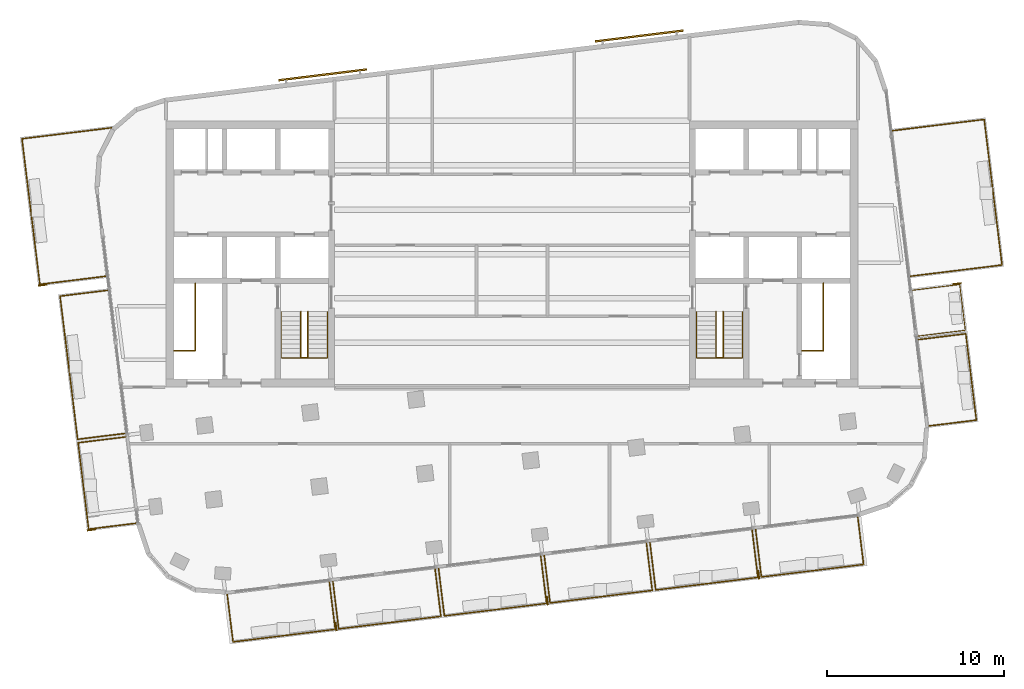
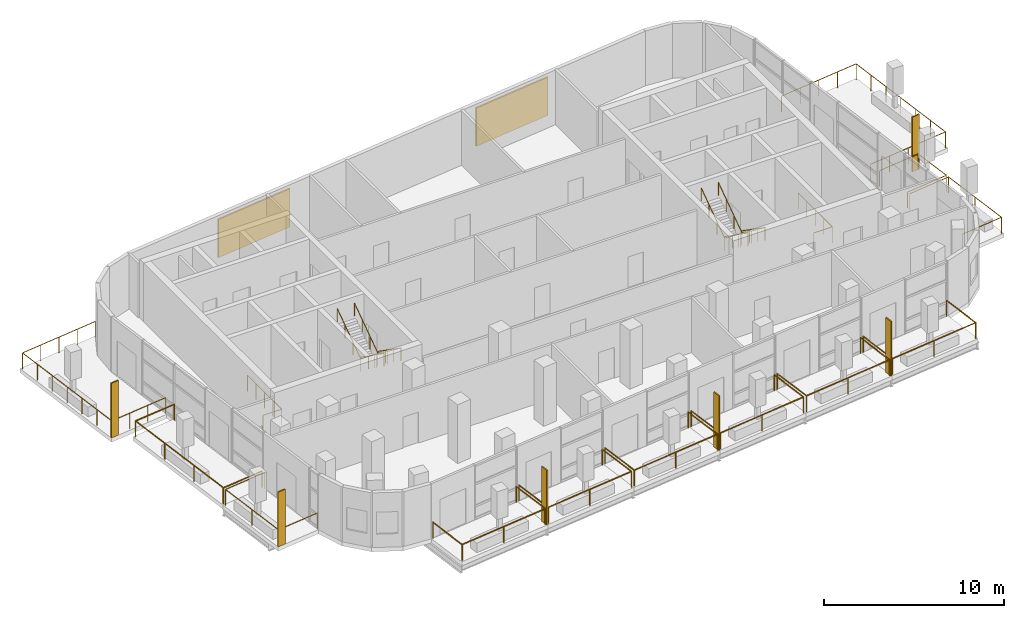
# One storey, part 12 of 13: 18 railings, 8 shading devices.
"""IFC4 building model written with IfcOpenShell, lengths in metres."""

from ifc_helpers import new_model, si_unit, direction, frame, origin, origin_2d, place, context, subcontext, project, spatial, rectangle, circle, extrude, material, layer, layer_set, type_object, element, save


model = new_model("IFC4")

# Units and contexts
model_context = context("Model", 3, precision=1e-05, world=origin(), true_north=direction((0.0, 1.0)))
body_context = subcontext(model_context, "Body", "Model", "MODEL_VIEW")
ifc_project = project(units=[si_unit("LENGTHUNIT", "METRE"), si_unit("AREAUNIT", "SQUARE_METRE"), si_unit("VOLUMEUNIT", "CUBIC_METRE"), si_unit("PLANEANGLEUNIT", "RADIAN"), si_unit("MASSUNIT", "GRAM", prefix="KILO")], contexts=[model_context])

# Site, building, storey
site_placement = place(None, origin())
site = spatial("IfcSite", under=ifc_project, at=site_placement, CompositionType="ELEMENT")
building_placement = place(site_placement, origin())
building = spatial("IfcBuilding", under=site, at=building_placement, Name="Torana Hotel and Residences", CompositionType="ELEMENT")
storey_placement = place(building_placement, frame((0.0, 0.0, 342.60009765625)))
storey = spatial("IfcBuildingStorey", under=building, at=storey_placement, Name="L90", CompositionType="ELEMENT", Elevation=342.60009765625)

# Shading devices
ifc_material_1 = material(Name="Black powder coated aluminium", Category="aluminium")
ifc_layer_1 = layer(ifc_material_1, 0.080078125)
ifc_layer_set_1 = layer_set([ifc_layer_1], Name="FN1 VERTICAL FIN 500x80")
shading_device_type_1 = type_object("IfcShadingDeviceType", Name="FN1 VERTICAL FIN 500x80", PredefinedType="USERDEFINED", material=ifc_layer_set_1)
for number, where, z_axis, x_axis, name in (
    (1, (-9.921142578125, -28.4931640625, 0.0), (0.0, 0.0, 1.0), (-0.99254657704, -0.121865878765, 0.0), "Fin 01"),
    (2, (1.989501953125, -27.03076171875, 0.0), (0.0, 0.0, 1.0), (-0.99254657704, -0.121865878765, 0.0), "Fin 03"),
    (3, (13.89990234375, -25.568359375, 0.0), (0.0, 0.0, 1.0), (-0.99254657704, -0.121865878765, 0.0), "Fin 05"),
    (4, (-23.6982421875, -23.04150390625, 0.0), (0.0, 0.0, 1.0), (-0.121881469635, 0.992544662652, 0.0), "Fin 07"),
    (5, (-26.44970703125, -9.2490234375, 0.0), (0.0, 0.0, 1.0), (-0.121871075725, 0.992545938938, 0.0), "Fin 09"),
    (6, (25.075439453125, -9.17431640625, 0.0), (0.0, 0.0, 1.0), (0.121867611085, -0.992546364342, 0.0), "Fin 11"),
):
    element("IfcShadingDevice", number, at=place(storey_placement, frame(where, z_axis=z_axis, x_axis=x_axis)), inside=storey, type_object=shading_device_type_1, Name=name, ObjectType="FIN", PredefinedType="USERDEFINED", context=body_context, shape_type="SweptSolid", body=[
        extrude(rectangle(XDim=0.080078125, YDim=0.5, at=origin_2d()), origin(), (0.0, 0.0, 1.0), 3.719970703125),
    ])

# Railings
ifc_material_2 = material(Name="Laminated glass balustrade with black handrail", Category="glass")
railing_type_1 = type_object("IfcRailingType", Name="GR1 BALCONY GUARD 1100 GLASS", PredefinedType="GUARDRAIL", material=ifc_material_2)
railing_1_placement = place(storey_placement, frame((-10.29150390625, -25.969482421875, 0.0)))
element("IfcRailing", 7, at=railing_1_placement, inside=storey, type_object=railing_type_1, Name="Balcony guard 01", PredefinedType="GUARDRAIL", context=body_context, shape_type="SweptSolid", body=[
    extrude(circle(Radius=0.02392578125, at=origin_2d()), frame((0.0, 0.0, 1.076171875), z_axis=(0.121886613265, -0.992544031017, 0.0), x_axis=(0.992544031017, 0.121886613265, 0.0)), (0.0, 0.0, 1.0), 2.699951171875),
    extrude(circle(Radius=0.02392578125, at=origin_2d()), frame((0.3291015625, -2.679931640625, 1.076171875), z_axis=(-0.992547475119, -0.121858564057, 0.0), x_axis=(0.121858564057, -0.992547475119, 0.0)), (0.0, 0.0, 1.0), 5.800048828125),
    extrude(circle(Radius=0.02392578125, at=origin_2d()), frame((-5.427734375, -3.38671875, 1.076171875), z_axis=(-0.121797534772, 0.992554965996, 0.0), x_axis=(-0.992554965996, -0.121797534772, 0.0)), (0.0, 0.0, 1.0), 2.699951171875),
    extrude(circle(Radius=0.02099609375, at=origin_2d()), origin(), (0.0, 0.0, 1.0), 1.052001953125),
    extrude(circle(Radius=0.02099609375, at=origin_2d()), frame((0.3291015625, -2.679931640625, 0.0)), (0.0, 0.0, 1.0), 1.052001953125),
    extrude(circle(Radius=0.02099609375, at=origin_2d()), frame((-2.54931640625, -3.033203125, 0.0)), (0.0, 0.0, 1.0), 1.052001953125),
    extrude(circle(Radius=0.02099609375, at=origin_2d()), frame((-5.427734375, -3.38671875, 0.0)), (0.0, 0.0, 1.0), 1.052001953125),
    extrude(circle(Radius=0.02099609375, at=origin_2d()), frame((-5.756591796875, -0.706787109375, 0.0)), (0.0, 0.0, 1.0), 1.052001953125),
])
for number, where, name in (
    (8, (-4.336181640625, -25.23828125, 0.0), "Balcony guard 02"),
    (9, (1.619140625, -24.507080078125, 0.0), "Balcony guard 03"),
):
    element("IfcRailing", number, at=place(storey_placement, frame(where)), inside=storey, type_object=railing_type_1, Name=name, PredefinedType="GUARDRAIL", context=body_context, shape_type="SweptSolid", body=[
        extrude(circle(Radius=0.02392578125, at=origin_2d()), frame((0.0, 0.0, 1.076171875), z_axis=(0.121886613265, -0.992544031017, 0.0), x_axis=(0.992544031017, 0.121886613265, 0.0)), (0.0, 0.0, 1.0), 2.699951171875),
        extrude(circle(Radius=0.02392578125, at=origin_2d()), frame((0.3291015625, -2.679931640625, 1.076171875), z_axis=(-0.992547475119, -0.121858564057, 0.0), x_axis=(0.121858564057, -0.992547475119, 0.0)), (0.0, 0.0, 1.0), 5.800048828125),
        extrude(circle(Radius=0.02392578125, at=origin_2d()), frame((-5.427734375, -3.38671875, 1.076171875), z_axis=(-0.121886613265, 0.992544031017, 0.0), x_axis=(-0.992544031017, -0.121886613265, 0.0)), (0.0, 0.0, 1.0), 2.699951171875),
        extrude(circle(Radius=0.02099609375, at=origin_2d()), origin(), (0.0, 0.0, 1.0), 1.052001953125),
        extrude(circle(Radius=0.02099609375, at=origin_2d()), frame((0.3291015625, -2.679931640625, 0.0)), (0.0, 0.0, 1.0), 1.052001953125),
        extrude(circle(Radius=0.02099609375, at=origin_2d()), frame((-2.54931640625, -3.033203125, 0.0)), (0.0, 0.0, 1.0), 1.052001953125),
        extrude(circle(Radius=0.02099609375, at=origin_2d()), frame((-5.427734375, -3.38671875, 0.0)), (0.0, 0.0, 1.0), 1.052001953125),
        extrude(circle(Radius=0.02099609375, at=origin_2d()), frame((-5.7568359375, -0.706787109375, 0.0)), (0.0, 0.0, 1.0), 1.052001953125),
    ])
railing_2_placement = place(storey_placement, frame((7.57421875, -23.77587890625, 0.0)))
element("IfcRailing", 10, at=railing_2_placement, inside=storey, type_object=railing_type_1, Name="Balcony guard 04", PredefinedType="GUARDRAIL", context=body_context, shape_type="SweptSolid", body=[
    extrude(circle(Radius=0.02392578125, at=origin_2d()), frame((0.0, 0.0, 1.076171875), z_axis=(0.121886613265, -0.992544031017, 0.0), x_axis=(0.992544031017, 0.121886613265, 0.0)), (0.0, 0.0, 1.0), 2.699951171875),
    extrude(circle(Radius=0.02392578125, at=origin_2d()), frame((0.3291015625, -2.679931640625, 1.076171875), z_axis=(-0.992546850023, -0.121863655406, 0.0), x_axis=(0.121863655406, -0.992546850023, 0.0)), (0.0, 0.0, 1.0), 5.7998046875),
    extrude(circle(Radius=0.02392578125, at=origin_2d()), frame((-5.427490234375, -3.38671875, 1.076171875), z_axis=(-0.121886613265, 0.992544031017, 0.0), x_axis=(-0.992544031017, -0.121886613265, 0.0)), (0.0, 0.0, 1.0), 2.699951171875),
    extrude(circle(Radius=0.02099609375, at=origin_2d()), origin(), (0.0, 0.0, 1.0), 1.052001953125),
    extrude(circle(Radius=0.02099609375, at=origin_2d()), frame((0.3291015625, -2.679931640625, 0.0)), (0.0, 0.0, 1.0), 1.052001953125),
    extrude(circle(Radius=0.02099609375, at=origin_2d()), frame((-2.54931640625, -3.033203125, 0.0)), (0.0, 0.0, 1.0), 1.052001953125),
    extrude(circle(Radius=0.02099609375, at=origin_2d()), frame((-5.427490234375, -3.38671875, 0.0)), (0.0, 0.0, 1.0), 1.052001953125),
    extrude(circle(Radius=0.02099609375, at=origin_2d()), frame((-5.756591796875, -0.706787109375, 0.0)), (0.0, 0.0, 1.0), 1.052001953125),
])
for number, where, name in (
    (11, (13.529541015625, -23.044677734375, 0.0), "Balcony guard 05"),
    (12, (19.48486328125, -22.3134765625, 0.0), "Balcony guard 06"),
):
    element("IfcRailing", number, at=place(storey_placement, frame(where)), inside=storey, type_object=railing_type_1, Name=name, PredefinedType="GUARDRAIL", context=body_context, shape_type="SweptSolid", body=[
        extrude(circle(Radius=0.02392578125, at=origin_2d()), frame((0.0, 0.0, 1.076171875), z_axis=(0.121886613265, -0.992544031017, 0.0), x_axis=(0.992544031017, 0.121886613265, 0.0)), (0.0, 0.0, 1.0), 2.699951171875),
        extrude(circle(Radius=0.02392578125, at=origin_2d()), frame((0.3291015625, -2.679931640625, 1.076171875), z_axis=(-0.992547475119, -0.121858564057, 0.0), x_axis=(0.121858564057, -0.992547475119, 0.0)), (0.0, 0.0, 1.0), 5.800048828125),
        extrude(circle(Radius=0.02392578125, at=origin_2d()), frame((-5.427734375, -3.38671875, 1.076171875), z_axis=(-0.121797534772, 0.992554965996, 0.0), x_axis=(-0.992554965996, -0.121797534772, 0.0)), (0.0, 0.0, 1.0), 2.699951171875),
        extrude(circle(Radius=0.02099609375, at=origin_2d()), origin(), (0.0, 0.0, 1.0), 1.052001953125),
        extrude(circle(Radius=0.02099609375, at=origin_2d()), frame((0.3291015625, -2.679931640625, 0.0)), (0.0, 0.0, 1.0), 1.052001953125),
        extrude(circle(Radius=0.02099609375, at=origin_2d()), frame((-2.54931640625, -3.033203125, 0.0)), (0.0, 0.0, 1.0), 1.052001953125),
        extrude(circle(Radius=0.02099609375, at=origin_2d()), frame((-5.427734375, -3.38671875, 0.0)), (0.0, 0.0, 1.0), 1.052001953125),
        extrude(circle(Radius=0.02099609375, at=origin_2d()), frame((-5.756591796875, -0.706787109375, 0.0)), (0.0, 0.0, 1.0), 1.052001953125),
    ])
railing_3_placement = place(storey_placement, frame((-21.174560546875, -22.671142578125, 0.0)))
element("IfcRailing", 13, at=railing_3_placement, inside=storey, type_object=railing_type_1, Name="Balcony guard 07", PredefinedType="GUARDRAIL", context=body_context, shape_type="SweptSolid", body=[
    extrude(circle(Radius=0.02392578125, at=origin_2d()), frame((0.0, 0.0, 1.076171875), z_axis=(-0.992544031017, -0.121886613265, 0.0), x_axis=(0.121886613265, -0.992544031017, 0.0)), (0.0, 0.0, 1.0), 2.699951171875),
    extrude(circle(Radius=0.02392578125, at=origin_2d()), frame((-2.679931640625, -0.3291015625, 1.076171875), z_axis=(-0.121869773493, 0.992546098833, 0.0), x_axis=(-0.992546098833, -0.121869773493, 0.0)), (0.0, 0.0, 1.0), 4.900146484375),
    extrude(circle(Radius=0.02392578125, at=origin_2d()), frame((-3.277099609375, 4.534423828125, 1.076171875), z_axis=(0.992554965996, 0.121797534772, 0.0), x_axis=(-0.121797534772, 0.992554965996, 0.0)), (0.0, 0.0, 1.0), 2.699951171875),
    extrude(circle(Radius=0.02099609375, at=origin_2d()), origin(), (0.0, 0.0, 1.0), 1.052001953125),
    extrude(circle(Radius=0.02099609375, at=origin_2d()), frame((-2.679931640625, -0.3291015625, 0.0)), (0.0, 0.0, 1.0), 1.052001953125),
    extrude(circle(Radius=0.02099609375, at=origin_2d()), frame((-2.978515625, 2.1025390625, 0.0)), (0.0, 0.0, 1.0), 1.052001953125),
    extrude(circle(Radius=0.02099609375, at=origin_2d()), frame((-3.277099609375, 4.534423828125, 0.0)), (0.0, 0.0, 1.0), 1.052001953125),
    extrude(circle(Radius=0.02099609375, at=origin_2d()), frame((-0.59716796875, 4.86328125, 0.0)), (0.0, 0.0, 1.0), 1.052001953125),
])
railing_4_placement = place(storey_placement, frame((-21.796142578125, -17.609130859375, 0.0)))
element("IfcRailing", 14, at=railing_4_placement, inside=storey, type_object=railing_type_1, Name="Balcony guard 08", PredefinedType="GUARDRAIL", context=body_context, shape_type="SweptSolid", body=[
    extrude(circle(Radius=0.02392578125, at=origin_2d()), frame((0.0, 0.0, 1.076171875), z_axis=(-0.992544031017, -0.121886613265, 0.0), x_axis=(0.121886613265, -0.992544031017, 0.0)), (0.0, 0.0, 1.0), 2.699951171875),
    extrude(circle(Radius=0.02392578125, at=origin_2d()), frame((-2.679931640625, -0.3291015625, 1.076171875), z_axis=(-0.121845081243, 0.992549130359, 0.0), x_axis=(-0.992549130359, -0.121845081243, 0.0)), (0.0, 0.0, 1.0), 8.125),
    extrude(circle(Radius=0.02392578125, at=origin_2d()), frame((-3.669921875, 7.7353515625, 1.076171875), z_axis=(0.992554965996, 0.121797534772, 0.0), x_axis=(-0.121797534772, 0.992554965996, 0.0)), (0.0, 0.0, 1.0), 2.699951171875),
    extrude(circle(Radius=0.02099609375, at=origin_2d()), origin(), (0.0, 0.0, 1.0), 1.052001953125),
    extrude(circle(Radius=0.02099609375, at=origin_2d()), frame((-2.679931640625, -0.3291015625, 0.0)), (0.0, 0.0, 1.0), 1.052001953125),
    extrude(circle(Radius=0.02099609375, at=origin_2d()), frame((-3.010009765625, 2.359130859375, 0.0)), (0.0, 0.0, 1.0), 1.052001953125),
    extrude(circle(Radius=0.02099609375, at=origin_2d()), frame((-3.33984375, 5.047119140625, 0.0)), (0.0, 0.0, 1.0), 1.052001953125),
    extrude(circle(Radius=0.02099609375, at=origin_2d()), frame((-3.669921875, 7.7353515625, 0.0)), (0.0, 0.0, 1.0), 1.052001953125),
    extrude(circle(Radius=0.02099609375, at=origin_2d()), frame((-0.989990234375, 8.064208984375, 0.0)), (0.0, 0.0, 1.0), 1.052001953125),
])
railing_5_placement = place(storey_placement, frame((-22.8837890625, -8.750732421875, 0.0)))
element("IfcRailing", 15, at=railing_5_placement, inside=storey, type_object=railing_type_1, Name="Balcony guard 09", PredefinedType="GUARDRAIL", context=body_context, shape_type="SweptSolid", body=[
    extrude(circle(Radius=0.02392578125, at=origin_2d()), frame((0.0, 0.0, 1.076171875), z_axis=(-0.992544975267, -0.121878923824, 0.0), x_axis=(0.121878923824, -0.992544975267, 0.0)), (0.0, 0.0, 1.0), 3.75),
    extrude(circle(Radius=0.02392578125, at=origin_2d()), frame((-3.721923828125, -0.45703125, 1.076171875), z_axis=(-0.121878024543, 0.992545085693, 0.0), x_axis=(-0.992545085693, -0.121878024543, 0.0)), (0.0, 0.0, 1.0), 8.262939453125),
    extrude(circle(Radius=0.02392578125, at=origin_2d()), frame((-4.72900390625, 7.744384765625, 1.076171875), z_axis=(0.992542638755, 0.12189795016, 0.0), x_axis=(-0.12189795016, 0.992542638755, 0.0)), (0.0, 0.0, 1.0), 5.0771484375),
    extrude(circle(Radius=0.02099609375, at=origin_2d()), origin(), (0.0, 0.0, 1.0), 1.052001953125),
    extrude(circle(Radius=0.02099609375, at=origin_2d()), frame((-1.24072265625, -0.15234375, 0.0)), (0.0, 0.0, 1.0), 1.052001953125),
    extrude(circle(Radius=0.02099609375, at=origin_2d()), frame((-2.481201171875, -0.3046875, 0.0)), (0.0, 0.0, 1.0), 1.052001953125),
    extrude(circle(Radius=0.02099609375, at=origin_2d()), frame((-3.721923828125, -0.45703125, 0.0)), (0.0, 0.0, 1.0), 1.052001953125),
    extrude(circle(Radius=0.02099609375, at=origin_2d()), frame((-3.8896484375, 0.909912109375, 0.0)), (0.0, 0.0, 1.0), 1.052001953125),
    extrude(circle(Radius=0.02099609375, at=origin_2d()), frame((-4.0576171875, 2.27685546875, 0.0)), (0.0, 0.0, 1.0), 1.052001953125),
    extrude(circle(Radius=0.02099609375, at=origin_2d()), frame((-4.2255859375, 3.6435546875, 0.0)), (0.0, 0.0, 1.0), 1.052001953125),
    extrude(circle(Radius=0.02099609375, at=origin_2d()), frame((-4.393310546875, 5.010498046875, 0.0)), (0.0, 0.0, 1.0), 1.052001953125),
    extrude(circle(Radius=0.02099609375, at=origin_2d()), frame((-4.56103515625, 6.37744140625, 0.0)), (0.0, 0.0, 1.0), 1.052001953125),
    extrude(circle(Radius=0.02099609375, at=origin_2d()), frame((-4.72900390625, 7.744384765625, 0.0)), (0.0, 0.0, 1.0), 1.052001953125),
    extrude(circle(Radius=0.02099609375, at=origin_2d()), frame((-3.46923828125, 7.899169921875, 0.0)), (0.0, 0.0, 1.0), 1.052001953125),
    extrude(circle(Radius=0.02099609375, at=origin_2d()), frame((-2.20947265625, 8.0537109375, 0.0)), (0.0, 0.0, 1.0), 1.052001953125),
    extrude(circle(Radius=0.02099609375, at=origin_2d()), frame((-0.949462890625, 8.20849609375, 0.0)), (0.0, 0.0, 1.0), 1.052001953125),
    extrude(circle(Radius=0.02099609375, at=origin_2d()), frame((0.310302734375, 8.36328125, 0.0)), (0.0, 0.0, 1.0), 1.052001953125),
])
railing_6_placement = place(storey_placement, frame((22.892822265625, -12.32373046875, 0.0)))
element("IfcRailing", 16, at=railing_6_placement, inside=storey, type_object=railing_type_1, Name="Balcony guard 10", PredefinedType="GUARDRAIL", context=body_context, shape_type="SweptSolid", body=[
    extrude(circle(Radius=0.02392578125, at=origin_2d()), frame((0.0, 0.0, 1.076171875), z_axis=(0.992544031017, 0.121886613265, 0.0), x_axis=(-0.121886613265, 0.992544031017, 0.0)), (0.0, 0.0, 1.0), 2.699951171875),
    extrude(circle(Radius=0.02392578125, at=origin_2d()), frame((2.679931640625, 0.3291015625, 1.076171875), z_axis=(0.121869773493, -0.992546098833, 0.0), x_axis=(0.992546098833, 0.121869773493, 0.0)), (0.0, 0.0, 1.0), 4.900146484375),
    extrude(circle(Radius=0.02392578125, at=origin_2d()), frame((3.277099609375, -4.534423828125, 1.076171875), z_axis=(-0.992554965996, -0.121797534772, 0.0), x_axis=(0.121797534772, -0.992554965996, 0.0)), (0.0, 0.0, 1.0), 2.699951171875),
    extrude(circle(Radius=0.02099609375, at=origin_2d()), origin(), (0.0, 0.0, 1.0), 1.052001953125),
    extrude(circle(Radius=0.02099609375, at=origin_2d()), frame((2.679931640625, 0.3291015625, 0.0)), (0.0, 0.0, 1.0), 1.052001953125),
    extrude(circle(Radius=0.02099609375, at=origin_2d()), frame((2.978515625, -2.1025390625, 0.0)), (0.0, 0.0, 1.0), 1.052001953125),
    extrude(circle(Radius=0.02099609375, at=origin_2d()), frame((3.277099609375, -4.534423828125, 0.0)), (0.0, 0.0, 1.0), 1.052001953125),
    extrude(circle(Radius=0.02099609375, at=origin_2d()), frame((0.59716796875, -4.86328125, 0.0)), (0.0, 0.0, 1.0), 1.052001953125),
])
railing_7_placement = place(storey_placement, frame((22.5517578125, -9.544921875, 0.0)))
element("IfcRailing", 17, at=railing_7_placement, inside=storey, type_object=railing_type_1, Name="Balcony guard 11", PredefinedType="GUARDRAIL", context=body_context, shape_type="SweptSolid", body=[
    extrude(circle(Radius=0.02392578125, at=origin_2d()), frame((0.0, 0.0, 1.076171875), z_axis=(0.992544031017, 0.121886613265, 0.0), x_axis=(-0.121886613265, 0.992544031017, 0.0)), (0.0, 0.0, 1.0), 2.699951171875),
    extrude(circle(Radius=0.02392578125, at=origin_2d()), frame((2.679931640625, 0.3291015625, 1.076171875), z_axis=(0.121803653798, -0.992554215104, 0.0), x_axis=(0.992554215104, 0.121803653798, 0.0)), (0.0, 0.0, 1.0), 2.599609375),
    extrude(circle(Radius=0.02392578125, at=origin_2d()), frame((2.99658203125, -2.251220703125, 1.076171875), z_axis=(-0.992554965996, -0.121797534772, 0.0), x_axis=(0.121797534772, -0.992554965996, 0.0)), (0.0, 0.0, 1.0), 2.699951171875),
    extrude(circle(Radius=0.02099609375, at=origin_2d()), origin(), (0.0, 0.0, 1.0), 1.052001953125),
    extrude(circle(Radius=0.02099609375, at=origin_2d()), frame((2.679931640625, 0.3291015625, 0.0)), (0.0, 0.0, 1.0), 1.052001953125),
    extrude(circle(Radius=0.02099609375, at=origin_2d()), frame((2.99658203125, -2.251220703125, 0.0)), (0.0, 0.0, 1.0), 1.052001953125),
    extrude(circle(Radius=0.02099609375, at=origin_2d()), frame((0.316650390625, -2.580078125, 0.0)), (0.0, 0.0, 1.0), 1.052001953125),
])
railing_8_placement = place(storey_placement, frame((21.447265625, -0.54931640625, 0.0)))
element("IfcRailing", 18, at=railing_8_placement, inside=storey, type_object=railing_type_1, Name="Balcony guard 12", PredefinedType="GUARDRAIL", context=body_context, shape_type="SweptSolid", body=[
    extrude(circle(Radius=0.02392578125, at=origin_2d()), frame((0.0, 0.0, 1.076171875), z_axis=(0.992544252483, 0.121884809813, 0.0), x_axis=(-0.121884809813, 0.992544252483, 0.0)), (0.0, 0.0, 1.0), 5.199951171875),
    extrude(circle(Radius=0.02392578125, at=origin_2d()), frame((5.1611328125, 0.6337890625, 1.076171875), z_axis=(0.121878024543, -0.992545085693, 0.0), x_axis=(0.992545085693, 0.121878024543, 0.0)), (0.0, 0.0, 1.0), 8.262939453125),
    extrude(circle(Radius=0.02392578125, at=origin_2d()), frame((6.168212890625, -7.567626953125, 1.076171875), z_axis=(-0.992544949934, -0.121879130128, 0.0), x_axis=(0.121879130128, -0.992544949934, 0.0)), (0.0, 0.0, 1.0), 5.2001953125),
    extrude(circle(Radius=0.02099609375, at=origin_2d()), origin(), (0.0, 0.0, 1.0), 1.052001953125),
    extrude(circle(Radius=0.02099609375, at=origin_2d()), frame((1.290283203125, 0.158447265625, 0.0)), (0.0, 0.0, 1.0), 1.052001953125),
    extrude(circle(Radius=0.02099609375, at=origin_2d()), frame((2.58056640625, 0.31689453125, 0.0)), (0.0, 0.0, 1.0), 1.052001953125),
    extrude(circle(Radius=0.02099609375, at=origin_2d()), frame((3.870849609375, 0.475341796875, 0.0)), (0.0, 0.0, 1.0), 1.052001953125),
    extrude(circle(Radius=0.02099609375, at=origin_2d()), frame((5.1611328125, 0.6337890625, 0.0)), (0.0, 0.0, 1.0), 1.052001953125),
    extrude(circle(Radius=0.02099609375, at=origin_2d()), frame((5.3291015625, -0.733154296875, 0.0)), (0.0, 0.0, 1.0), 1.052001953125),
    extrude(circle(Radius=0.02099609375, at=origin_2d()), frame((5.496826171875, -2.10009765625, 0.0)), (0.0, 0.0, 1.0), 1.052001953125),
    extrude(circle(Radius=0.02099609375, at=origin_2d()), frame((5.66455078125, -3.466796875, 0.0)), (0.0, 0.0, 1.0), 1.052001953125),
    extrude(circle(Radius=0.02099609375, at=origin_2d()), frame((5.83251953125, -4.833740234375, 0.0)), (0.0, 0.0, 1.0), 1.052001953125),
    extrude(circle(Radius=0.02099609375, at=origin_2d()), frame((6.00048828125, -6.20068359375, 0.0)), (0.0, 0.0, 1.0), 1.052001953125),
    extrude(circle(Radius=0.02099609375, at=origin_2d()), frame((6.168212890625, -7.567626953125, 0.0)), (0.0, 0.0, 1.0), 1.052001953125),
    extrude(circle(Radius=0.02099609375, at=origin_2d()), frame((4.8779296875, -7.72607421875, 0.0)), (0.0, 0.0, 1.0), 1.052001953125),
    extrude(circle(Radius=0.02099609375, at=origin_2d()), frame((3.58740234375, -7.884521484375, 0.0)), (0.0, 0.0, 1.0), 1.052001953125),
    extrude(circle(Radius=0.02099609375, at=origin_2d()), frame((2.297119140625, -8.04296875, 0.0)), (0.0, 0.0, 1.0), 1.052001953125),
    extrude(circle(Radius=0.02099609375, at=origin_2d()), frame((1.0068359375, -8.201416015625, 0.0)), (0.0, 0.0, 1.0), 1.052001953125),
])

# Shading devices
ifc_material_3 = material(Name="Concrete C40/50 precast", Category="concrete")
ifc_layer_2 = layer(ifc_material_3, 0.10009765625)
ifc_layer_set_2 = layer_set([ifc_layer_2], Name="SC1 PERFORATED BLOCK SCREEN PANEL 100")
shading_device_type_2 = type_object("IfcShadingDeviceType", Name="SC1 PERFORATED BLOCK SCREEN PANEL 100", PredefinedType="USERDEFINED", material=ifc_layer_set_2)
for number, where, z_axis, x_axis, name in (
    (19, (7.177978515625, 4.788818359375, 0.499755859375), (0.0, 0.0, 1.0), (-0.99254657704, -0.121865878765, 0.0), "Perforated block screen L90"),
    (20, (-10.663330078125, 2.59814453125, 0.499755859375), (0.0, 0.0, 1.0), (-0.99254657704, -0.121865878765, 0.0), "Perforated block screen L90"),
):
    element("IfcShadingDevice", number, at=place(storey_placement, frame(where, z_axis=z_axis, x_axis=x_axis)), inside=storey, type_object=shading_device_type_2, Name=name, ObjectType="SCREEN", PredefinedType="USERDEFINED", context=body_context, shape_type="SweptSolid", body=[
        extrude(rectangle(XDim=5.0, YDim=0.10009765625, at=origin_2d()), origin(), (0.0, 0.0, 1.0), 2.60009765625),
    ])

# Railings
ifc_material_4 = material(Name="Steel S355", Category="steel")
railing_type_2 = type_object("IfcRailingType", Name="STAIR GUARD GR2 1100", PredefinedType="GUARDRAIL", material=ifc_material_4)
for number, where, name in (
    (21, (-19.050048828125, -12.949951171875, 0.0), "Stair guard ST2 L90"),
    (22, (16.35009765625, -12.949951171875, 0.0), "Stair guard ST4 L90"),
):
    element("IfcRailing", number, at=place(storey_placement, frame(where)), inside=storey, type_object=railing_type_2, Name=name, PredefinedType="GUARDRAIL", context=body_context, shape_type="SweptSolid", body=[
        extrude(circle(Radius=0.02392578125, at=origin_2d()), frame((0.0, 0.0, 1.076171875), z_axis=(1.0, 0.0, 0.0), x_axis=(0.0, 1.0, 0.0)), (0.0, 0.0, 1.0), 1.199951171875),
        extrude(circle(Radius=0.02392578125, at=origin_2d()), frame((1.199951171875, 0.0, 1.076171875), z_axis=(0.0, 1.0, 0.0), x_axis=(-1.0, 0.0, 0.0)), (0.0, 0.0, 1.0), 3.800048828125),
        extrude(circle(Radius=0.02099609375, at=origin_2d()), origin(), (0.0, 0.0, 1.0), 1.052001953125),
        extrude(circle(Radius=0.02099609375, at=origin_2d()), frame((1.199951171875, 0.0, 0.0)), (0.0, 0.0, 1.0), 1.052001953125),
        extrude(circle(Radius=0.02099609375, at=origin_2d()), frame((1.199951171875, 0.949951171875, 0.0)), (0.0, 0.0, 1.0), 1.052001953125),
        extrude(circle(Radius=0.02099609375, at=origin_2d()), frame((1.199951171875, 1.89990234375, 0.0)), (0.0, 0.0, 1.0), 1.052001953125),
        extrude(circle(Radius=0.02099609375, at=origin_2d()), frame((1.199951171875, 2.85009765625, 0.0)), (0.0, 0.0, 1.0), 1.052001953125),
        extrude(circle(Radius=0.02099609375, at=origin_2d()), frame((1.199951171875, 3.800048828125, 0.0)), (0.0, 0.0, 1.0), 1.052001953125),
    ])
ifc_material_5 = material(Name="Stainless steel 316", Category="steel")
railing_type_3 = type_object("IfcRailingType", Name="STAIR HANDRAIL HR1 900", PredefinedType="HANDRAIL", material=ifc_material_5)
railing_9_placement = place(storey_placement, frame((-10.39990234375, -10.75, 0.181640625)))
element("IfcRailing", 23, at=railing_9_placement, inside=storey, type_object=railing_type_3, Name="Handrail ST1 L90 O1", PredefinedType="HANDRAIL", context=body_context, shape_type="SweptSolid", body=[
    extrude(circle(Radius=0.02392578125, at=origin_2d()), frame((0.0, 0.0, 0.8759765625), z_axis=(0.0, -0.819484887739, 0.573100792852), x_axis=(1.0, 0.0, 0.0)), (0.0, 0.0, 1.0), 3.1728515625),
    extrude(circle(Radius=0.02392578125, at=origin_2d()), frame((0.0, -2.60009765625, 2.6943359375), z_axis=(-0.997568744571, 0.0, 0.06968930948), x_axis=(0.0, -1.0, 0.0)), (0.0, 0.0, 1.0), 2.6064453125),
    extrude(circle(Radius=0.02392578125, at=origin_2d()), frame((-2.60009765625, -2.60009765625, 2.8759765625), z_axis=(0.0, 0.819484887739, 0.573100792852), x_axis=(-1.0, 0.0, 0.0)), (0.0, 0.0, 1.0), 3.1728515625),
    extrude(circle(Radius=0.02099609375, at=origin_2d()), origin(), (0.0, 0.0, 1.0), 0.851806640625),
    extrude(circle(Radius=0.02099609375, at=origin_2d()), frame((0.0, -0.86669921875, 0.606201171875)), (0.0, 0.0, 1.0), 0.851806640625),
    extrude(circle(Radius=0.02099609375, at=origin_2d()), frame((0.0, -1.7333984375, 1.212158203125)), (0.0, 0.0, 1.0), 0.851806640625),
    extrude(circle(Radius=0.02099609375, at=origin_2d()), frame((0.0, -2.60009765625, 1.818359375)), (0.0, 0.0, 1.0), 0.851806640625),
    extrude(circle(Radius=0.02099609375, at=origin_2d()), frame((-0.86669921875, -2.60009765625, 1.87890625)), (0.0, 0.0, 1.0), 0.851806640625),
    extrude(circle(Radius=0.02099609375, at=origin_2d()), frame((-1.7333984375, -2.60009765625, 1.939453125)), (0.0, 0.0, 1.0), 0.851806640625),
    extrude(circle(Radius=0.02099609375, at=origin_2d()), frame((-2.60009765625, -2.60009765625, 2.0)), (0.0, 0.0, 1.0), 0.851806640625),
    extrude(circle(Radius=0.02099609375, at=origin_2d()), frame((-2.60009765625, -1.7333984375, 2.606201171875)), (0.0, 0.0, 1.0), 0.851806640625),
    extrude(circle(Radius=0.02099609375, at=origin_2d()), frame((-2.60009765625, -0.86669921875, 3.212158203125)), (0.0, 0.0, 1.0), 0.851806640625),
    extrude(circle(Radius=0.02099609375, at=origin_2d()), frame((-2.60009765625, 0.0, 3.818359375)), (0.0, 0.0, 1.0), 0.851806640625),
])
railing_10_placement = place(storey_placement, frame((-11.5, -10.75, 0.181640625)))
element("IfcRailing", 24, at=railing_10_placement, inside=storey, type_object=railing_type_3, Name="Handrail ST1 L90 I1", PredefinedType="HANDRAIL", context=body_context, shape_type="SweptSolid", body=[
    extrude(circle(Radius=0.02392578125, at=origin_2d()), frame((0.0, 0.0, 0.8759765625), z_axis=(0.0, -0.819484887739, 0.573100792852), x_axis=(1.0, 0.0, 0.0)), (0.0, 0.0, 1.0), 3.1728515625),
    extrude(circle(Radius=0.02392578125, at=origin_2d()), frame((0.0, -2.60009765625, 2.6943359375), z_axis=(-0.910480658332, 0.0, 0.413551654334), x_axis=(0.0, -1.0, 0.0)), (0.0, 0.0, 1.0), 0.439208984375),
    extrude(circle(Radius=0.02392578125, at=origin_2d()), frame((-0.39990234375, -2.60009765625, 2.8759765625), z_axis=(0.0, 0.819484887739, 0.573100792852), x_axis=(-1.0, 0.0, 0.0)), (0.0, 0.0, 1.0), 3.1728515625),
    extrude(circle(Radius=0.02099609375, at=origin_2d()), origin(), (0.0, 0.0, 1.0), 0.851806640625),
    extrude(circle(Radius=0.02099609375, at=origin_2d()), frame((0.0, -0.86669921875, 0.606201171875)), (0.0, 0.0, 1.0), 0.851806640625),
    extrude(circle(Radius=0.02099609375, at=origin_2d()), frame((0.0, -1.7333984375, 1.212158203125)), (0.0, 0.0, 1.0), 0.851806640625),
    extrude(circle(Radius=0.02099609375, at=origin_2d()), frame((0.0, -2.60009765625, 1.818359375)), (0.0, 0.0, 1.0), 0.851806640625),
    extrude(circle(Radius=0.02099609375, at=origin_2d()), frame((-0.39990234375, -2.60009765625, 2.0)), (0.0, 0.0, 1.0), 0.851806640625),
    extrude(circle(Radius=0.02099609375, at=origin_2d()), frame((-0.39990234375, -1.7333984375, 2.606201171875)), (0.0, 0.0, 1.0), 0.851806640625),
    extrude(circle(Radius=0.02099609375, at=origin_2d()), frame((-0.39990234375, -0.86669921875, 3.212158203125)), (0.0, 0.0, 1.0), 0.851806640625),
    extrude(circle(Radius=0.02099609375, at=origin_2d()), frame((-0.39990234375, 0.0, 3.818359375)), (0.0, 0.0, 1.0), 0.851806640625),
])
railing_11_placement = place(storey_placement, frame((13.0, -10.75, 0.181640625)))
element("IfcRailing", 25, at=railing_11_placement, inside=storey, type_object=railing_type_3, Name="Handrail ST3 L90 O1", PredefinedType="HANDRAIL", context=body_context, shape_type="SweptSolid", body=[
    extrude(circle(Radius=0.02392578125, at=origin_2d()), frame((0.0, 0.0, 0.8759765625), z_axis=(0.0, -0.819484887739, 0.573100792852), x_axis=(1.0, 0.0, 0.0)), (0.0, 0.0, 1.0), 3.1728515625),
    extrude(circle(Radius=0.02392578125, at=origin_2d()), frame((0.0, -2.60009765625, 2.6943359375), z_axis=(-0.997568744571, 0.0, 0.06968930948), x_axis=(0.0, -1.0, 0.0)), (0.0, 0.0, 1.0), 2.6064453125),
    extrude(circle(Radius=0.02392578125, at=origin_2d()), frame((-2.60009765625, -2.60009765625, 2.8759765625), z_axis=(0.0, 0.819484887739, 0.573100792852), x_axis=(-1.0, 0.0, 0.0)), (0.0, 0.0, 1.0), 3.1728515625),
    extrude(circle(Radius=0.02099609375, at=origin_2d()), origin(), (0.0, 0.0, 1.0), 0.851806640625),
    extrude(circle(Radius=0.02099609375, at=origin_2d()), frame((0.0, -0.86669921875, 0.606201171875)), (0.0, 0.0, 1.0), 0.851806640625),
    extrude(circle(Radius=0.02099609375, at=origin_2d()), frame((0.0, -1.7333984375, 1.212158203125)), (0.0, 0.0, 1.0), 0.851806640625),
    extrude(circle(Radius=0.02099609375, at=origin_2d()), frame((0.0, -2.60009765625, 1.818359375)), (0.0, 0.0, 1.0), 0.851806640625),
    extrude(circle(Radius=0.02099609375, at=origin_2d()), frame((-0.86669921875, -2.60009765625, 1.87890625)), (0.0, 0.0, 1.0), 0.851806640625),
    extrude(circle(Radius=0.02099609375, at=origin_2d()), frame((-1.7333984375, -2.60009765625, 1.939453125)), (0.0, 0.0, 1.0), 0.851806640625),
    extrude(circle(Radius=0.02099609375, at=origin_2d()), frame((-2.60009765625, -2.60009765625, 2.0)), (0.0, 0.0, 1.0), 0.851806640625),
    extrude(circle(Radius=0.02099609375, at=origin_2d()), frame((-2.60009765625, -1.7333984375, 2.606201171875)), (0.0, 0.0, 1.0), 0.851806640625),
    extrude(circle(Radius=0.02099609375, at=origin_2d()), frame((-2.60009765625, -0.86669921875, 3.212158203125)), (0.0, 0.0, 1.0), 0.851806640625),
    extrude(circle(Radius=0.02099609375, at=origin_2d()), frame((-2.60009765625, 0.0, 3.818359375)), (0.0, 0.0, 1.0), 0.851806640625),
])
railing_12_placement = place(storey_placement, frame((11.89990234375, -10.75, 0.181640625)))
element("IfcRailing", 26, at=railing_12_placement, inside=storey, type_object=railing_type_3, Name="Handrail ST3 L90 I1", PredefinedType="HANDRAIL", context=body_context, shape_type="SweptSolid", body=[
    extrude(circle(Radius=0.02392578125, at=origin_2d()), frame((0.0, 0.0, 0.8759765625), z_axis=(0.0, -0.819484887739, 0.573100792852), x_axis=(1.0, 0.0, 0.0)), (0.0, 0.0, 1.0), 3.1728515625),
    extrude(circle(Radius=0.02392578125, at=origin_2d()), frame((0.0, -2.60009765625, 2.6943359375), z_axis=(-0.910480658332, 0.0, 0.413551654334), x_axis=(0.0, -1.0, 0.0)), (0.0, 0.0, 1.0), 0.439208984375),
    extrude(circle(Radius=0.02392578125, at=origin_2d()), frame((-0.39990234375, -2.60009765625, 2.8759765625), z_axis=(0.0, 0.819484887739, 0.573100792852), x_axis=(-1.0, 0.0, 0.0)), (0.0, 0.0, 1.0), 3.1728515625),
    extrude(circle(Radius=0.02099609375, at=origin_2d()), origin(), (0.0, 0.0, 1.0), 0.851806640625),
    extrude(circle(Radius=0.02099609375, at=origin_2d()), frame((0.0, -0.86669921875, 0.606201171875)), (0.0, 0.0, 1.0), 0.851806640625),
    extrude(circle(Radius=0.02099609375, at=origin_2d()), frame((0.0, -1.7333984375, 1.212158203125)), (0.0, 0.0, 1.0), 0.851806640625),
    extrude(circle(Radius=0.02099609375, at=origin_2d()), frame((0.0, -2.60009765625, 1.818359375)), (0.0, 0.0, 1.0), 0.851806640625),
    extrude(circle(Radius=0.02099609375, at=origin_2d()), frame((-0.39990234375, -2.60009765625, 2.0)), (0.0, 0.0, 1.0), 0.851806640625),
    extrude(circle(Radius=0.02099609375, at=origin_2d()), frame((-0.39990234375, -1.7333984375, 2.606201171875)), (0.0, 0.0, 1.0), 0.851806640625),
    extrude(circle(Radius=0.02099609375, at=origin_2d()), frame((-0.39990234375, -0.86669921875, 3.212158203125)), (0.0, 0.0, 1.0), 0.851806640625),
    extrude(circle(Radius=0.02099609375, at=origin_2d()), frame((-0.39990234375, 0.0, 3.818359375)), (0.0, 0.0, 1.0), 0.851806640625),
])

save(model, "model.ifc")
